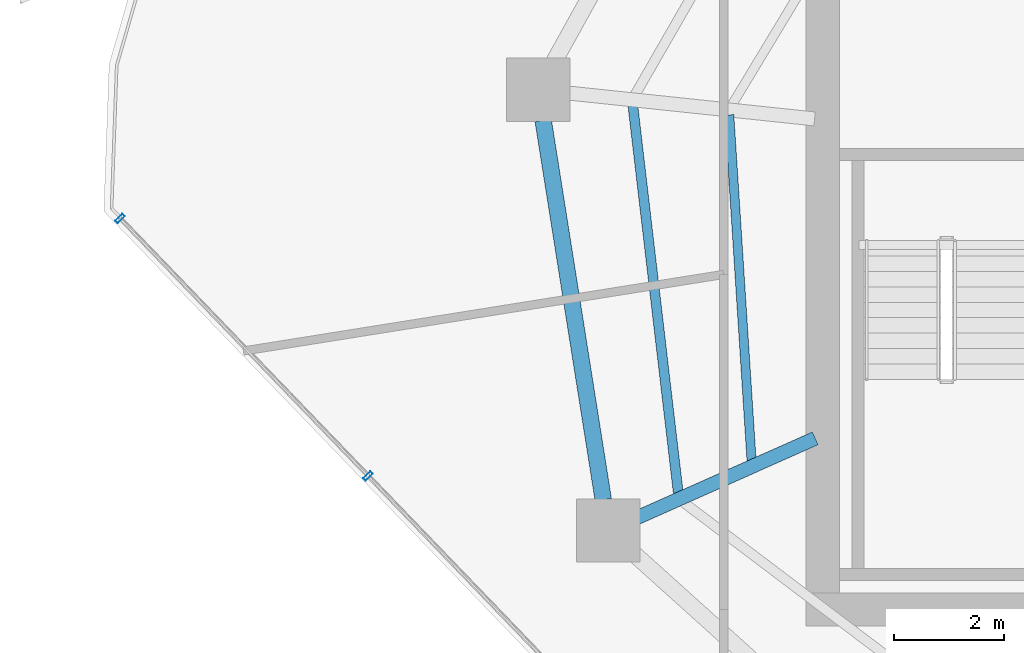
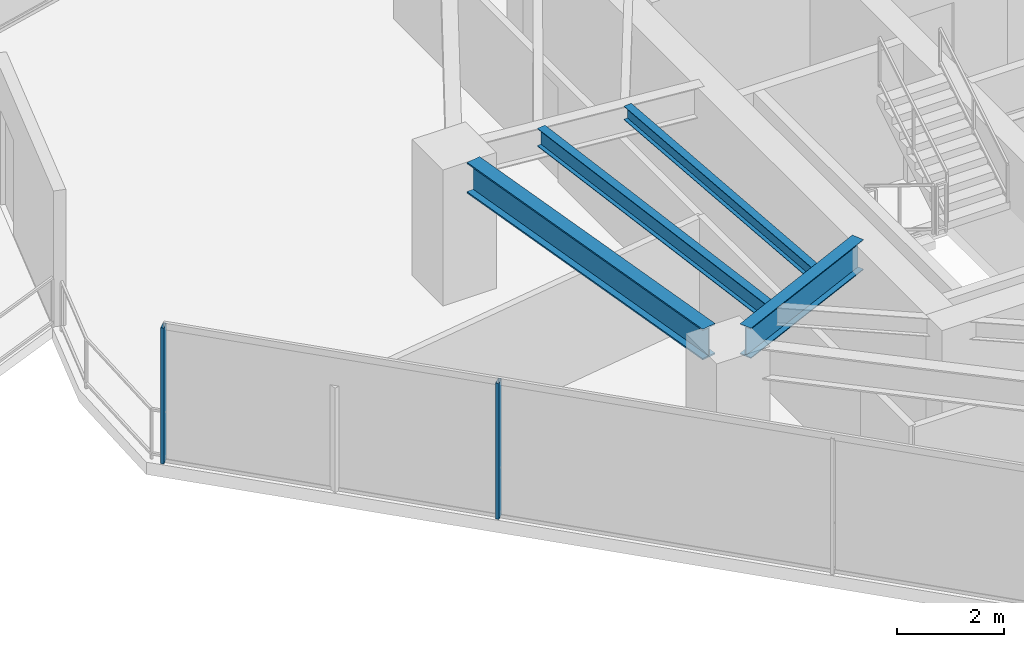
# One storey, part 5 of 23: 4 beams, 2 members, 1 element without a shape of its own.
"""IFC4 building model written with IfcOpenShell, lengths in metres."""

from ifc_helpers import new_model, si_unit, direction, frame, origin, origin_2d, place, context, subcontext, project, spatial, hollow_rectangle, i_section, extrude, material, layer, layer_set, material_profile, profile_set, type_object, element, aggregate, save


model = new_model("IFC4")

# Units and contexts
model_context = context("Model", 3, precision=1e-05, world=origin(), true_north=direction((0.0, 1.0)))
body_context = subcontext(model_context, "Body", "Model", "MODEL_VIEW")
ifc_project = project(units=[si_unit("LENGTHUNIT", "METRE"), si_unit("AREAUNIT", "SQUARE_METRE"), si_unit("VOLUMEUNIT", "CUBIC_METRE"), si_unit("PLANEANGLEUNIT", "RADIAN"), si_unit("MASSUNIT", "GRAM", prefix="KILO")], contexts=[model_context])

# Site, building, storey
site_placement = place(None, origin())
site = spatial("IfcSite", under=ifc_project, at=site_placement, CompositionType="ELEMENT")
building_placement = place(site_placement, origin())
building = spatial("IfcBuilding", under=site, at=building_placement, Name="Qarnah Convention Tower", CompositionType="ELEMENT")
storey_placement = place(building_placement, frame((0.0, 0.0, 117.75)))
storey = spatial("IfcBuildingStorey", under=building, at=storey_placement, Name="L31", CompositionType="ELEMENT", Elevation=117.75)

# Beams
ifc_material_1 = material(Name="Structural steel S355JR", Category="steel")
ifc_material_profile_1 = material_profile(ifc_material_1, i_section(OverallWidth=0.166015625, OverallDepth=0.31201171875, WebThickness=0.007080078125, FlangeThickness=0.010986328125, at=origin_2d()), Name="W310X45")
ifc_profile_set_1 = profile_set([ifc_material_profile_1], Name="Structural steel S355JR")
beam_type_1 = type_object("IfcBeamType", Name="BM-JST-W310", PredefinedType="JOIST", material=ifc_profile_set_1)
beam_1_placement = place(storey_placement, frame((25.10205078125, 27.58203125, 2.93408203125), z_axis=(0.064363628198, -0.997926512006, 0.0), x_axis=(0.997926512006, 0.064363628198, 0.0)))
element("IfcBeam", 1, at=beam_1_placement, inside=storey, type_object=beam_type_1, Name="L31 joist BM-L31-IJST-05", PredefinedType="JOIST", context=body_context, shape_type="SweptSolid", body=[
    extrude(i_section(OverallWidth=0.166015625, OverallDepth=0.31201171875, WebThickness=0.007080078125, FlangeThickness=0.010986328125, at=origin_2d()), origin(), (0.0, 0.0, 1.0), 6.30810546875),
])
ifc_material_profile_2 = material_profile(ifc_material_1, i_section(OverallWidth=0.177978515625, OverallDepth=0.407958984375, WebThickness=0.008056640625, FlangeThickness=0.012939453125, at=origin_2d()), Name="W410X60")
ifc_profile_set_2 = profile_set([ifc_material_profile_2], Name="Structural steel S355JR")
beam_type_2 = type_object("IfcBeamType", Name="BM-JST-W410", PredefinedType="JOIST", material=ifc_profile_set_2)
beam_2_placement = place(storey_placement, frame((23.35009765625, 27.76806640625, 2.885986328125), z_axis=(0.116421423163, -0.993199905472, 0.0), x_axis=(0.993199905472, 0.116421423163, 0.0)))
element("IfcBeam", 2, at=beam_2_placement, inside=storey, type_object=beam_type_2, Name="L31 joist BM-L31-SJST-05", PredefinedType="JOIST", context=body_context, shape_type="SweptSolid", body=[
    extrude(i_section(OverallWidth=0.177978515625, OverallDepth=0.407958984375, WebThickness=0.008056640625, FlangeThickness=0.012939453125, at=origin_2d()), origin(), (0.0, 0.0, 1.0), 7.119384765625),
])
ifc_material_profile_3 = material_profile(ifc_material_1, i_section(OverallWidth=0.25390625, OverallDepth=0.68798828125, WebThickness=0.012939453125, FlangeThickness=0.02099609375, at=origin_2d()), Name="W690X152")
ifc_profile_set_3 = profile_set([ifc_material_profile_3], Name="Structural steel S355JR")
beam_type_3 = type_object("IfcBeamType", Name="BM-RAD-W690", PredefinedType="BEAM", material=ifc_profile_set_3)
beam_3_placement = place(storey_placement, frame((26.6630859375, 21.708984375, 2.74609375), z_axis=(-0.913588053958, -0.4066409567, 0.0), x_axis=(0.4066409567, -0.913588053958, 0.0)))
element("IfcBeam", 3, at=beam_3_placement, inside=storey, type_object=beam_type_3, Name="L31 beam BM-L31-RAD-06", PredefinedType="BEAM", context=body_context, shape_type="SweptSolid", body=[
    extrude(i_section(OverallWidth=0.25390625, OverallDepth=0.68798828125, WebThickness=0.012939453125, FlangeThickness=0.02099609375, at=origin_2d()), origin(), (0.0, 0.0, 1.0), 3.560791015625),
])
ifc_material_profile_4 = material_profile(ifc_material_1, i_section(OverallWidth=0.300048828125, OverallDepth=0.699951171875, WebThickness=0.01708984375, FlangeThickness=0.031982421875, at=origin_2d()), Name="HEB700")
ifc_profile_set_4 = profile_set([ifc_material_profile_4], Name="Structural steel S355JR")
beam_type_4 = type_object("IfcBeamType", Name="BM-RING-HEB700", PredefinedType="BEAM", material=ifc_profile_set_4)
beam_4_placement = place(storey_placement, frame((21.72412109375, 27.47802734375, 2.739990234375), z_axis=(0.156482310627, -0.987680761411, 0.0), x_axis=(0.987680761411, 0.156482310627, 0.0)))
element("IfcBeam", 4, at=beam_4_placement, inside=storey, type_object=beam_type_4, Name="L31 beam BM-L31-SPN-05", PredefinedType="BEAM", context=body_context, shape_type="SweptSolid", body=[
    extrude(i_section(OverallWidth=0.300048828125, OverallDepth=0.699951171875, WebThickness=0.01708984375, FlangeThickness=0.031982421875, at=origin_2d()), origin(), (0.0, 0.0, 1.0), 6.970947265625),
])

# Curtain wall, members
ifc_material_2 = material(Name="Tempered Low-E dark glass", Category="glass")
ifc_layer = layer(ifc_material_2, 0.169921875)
ifc_layer_set = layer_set([ifc_layer], Name="Tempered Low-E dark glass")
curtain_wall_type = type_object("IfcCurtainWallType", Name="CWS-02", PredefinedType="NOTDEFINED", material=ifc_layer_set)
curtain_wall_placement = place(storey_placement, origin())
curtain_wall = element("IfcCurtainWall", 5, at=curtain_wall_placement, inside=storey, type_object=curtain_wall_type, Name="L31 unitised curtain wall CW-L31-F2", PredefinedType="NOTDEFINED")
ifc_material_3 = material(Name="Black anodised aluminium", Category="aluminium")
ifc_material_profile_5 = material_profile(ifc_material_3, hollow_rectangle(XDim=0.06494140625, YDim=0.179931640625, WallThickness=0.00390625, at=origin_2d()), Name="MUL-65X180")
ifc_profile_set_5 = profile_set([ifc_material_profile_5], Name="Black anodised aluminium")
member_type = type_object("IfcMemberType", Name="MUL-T2", PredefinedType="MULLION", material=ifc_profile_set_5)
member_1_placement = place(storey_placement, frame((18.54248046875, 21.025390625, 0.0), z_axis=(0.0, 0.0, 1.0), x_axis=(-0.693639313308, 0.720322499324, 0.0)))
member_1 = element("IfcMember", 6, at=member_1_placement, type_object=member_type, Name="CW-L31-F2 mullion 5", PredefinedType="MULLION", context=body_context, shape_type="SweptSolid", body=[
    extrude(hollow_rectangle(XDim=0.06494140625, YDim=0.179931640625, WallThickness=0.00390625, at=origin_2d()), origin(), (0.0, 0.0, 1.0), 3.090087890625),
])
member_2_placement = place(storey_placement, frame((14.0400390625, 25.700927734375, 0.0), z_axis=(0.0, 0.0, 1.0), x_axis=(-0.693639313308, 0.720322499324, 0.0)))
member_2 = element("IfcMember", 7, at=member_2_placement, type_object=member_type, Name="CW-L31-F2 mullion 6", PredefinedType="MULLION", context=body_context, shape_type="SweptSolid", body=[
    extrude(hollow_rectangle(XDim=0.06494140625, YDim=0.179931640625, WallThickness=0.00390625, at=origin_2d()), origin(), (0.0, 0.0, 1.0), 3.090087890625),
])
aggregate(curtain_wall, [member_1, member_2])

save(model, "model.ifc")
